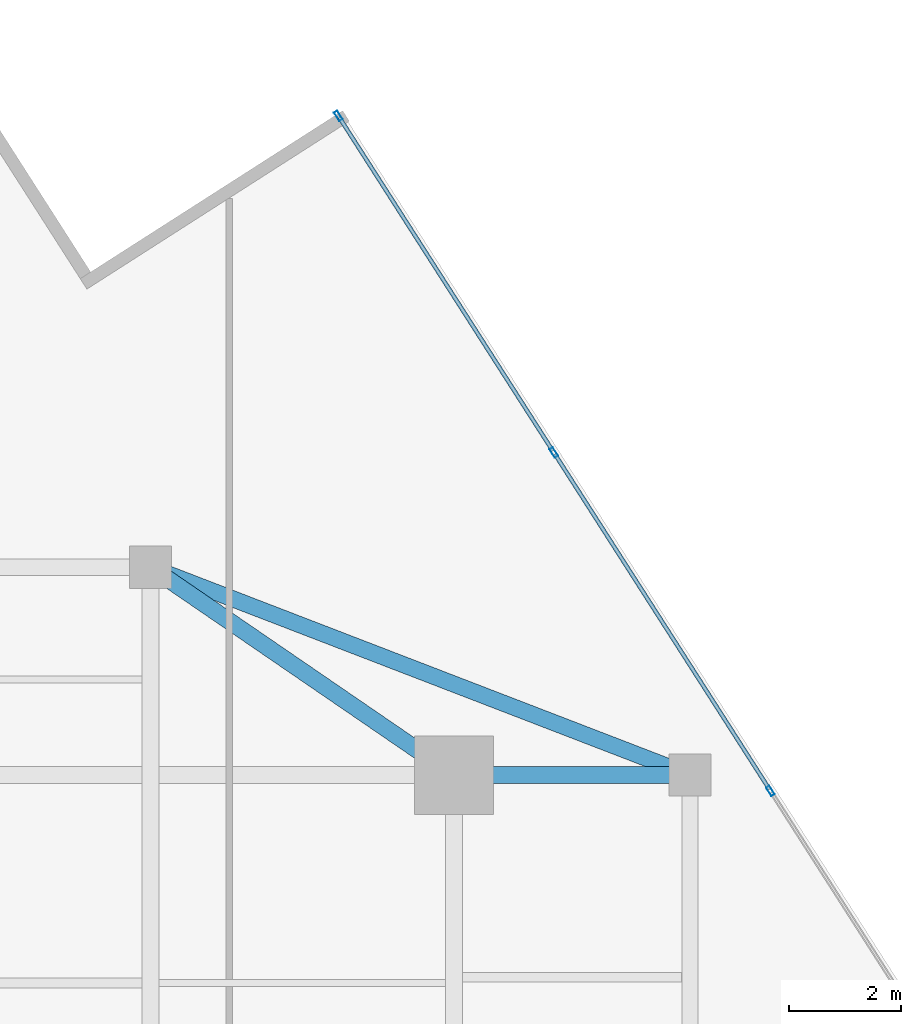
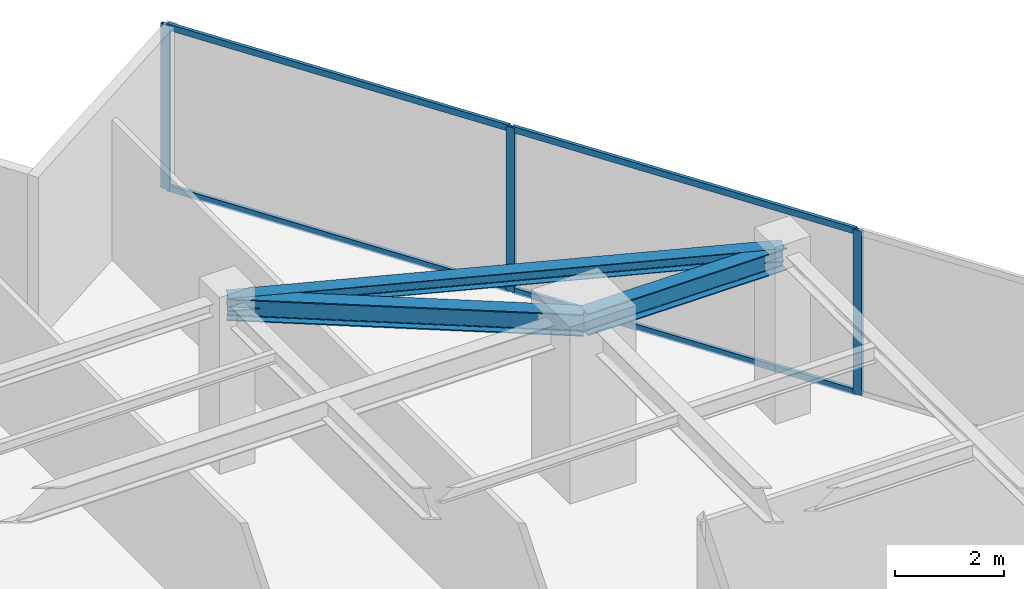
# One storey, part 15 of 20: 7 members, 3 beams, 1 element without a shape of its own.
"""IFC4 building model written with IfcOpenShell, lengths in metres."""

from ifc_helpers import new_model, si_unit, direction, frame, origin, origin_2d, place, context, subcontext, project, spatial, hollow_rectangle, i_section, extrude, source, transform, mapped, material, material_profile, profile_set, type_object, type_shapes, element, aggregate, save


model = new_model("IFC4")

# Units and contexts
model_context = context("Model", 3, precision=1e-05, world=origin(), true_north=direction((0.0, 1.0)))
body_context = subcontext(model_context, "Body", "Model", "MODEL_VIEW")
ifc_project = project(units=[si_unit("LENGTHUNIT", "METRE"), si_unit("AREAUNIT", "SQUARE_METRE"), si_unit("VOLUMEUNIT", "CUBIC_METRE"), si_unit("PLANEANGLEUNIT", "RADIAN"), si_unit("MASSUNIT", "GRAM", prefix="KILO")], contexts=[model_context])

# Site, building, storey
site_placement = place(None, origin())
site = spatial("IfcSite", under=ifc_project, at=site_placement, CompositionType="ELEMENT")
building_placement = place(site_placement, origin())
building = spatial("IfcBuilding", under=site, at=building_placement, Name="Krantzveldt Concourse Tower", CompositionType="ELEMENT")
storey_placement = place(building_placement, frame((0.0, 0.0, 291.10009765625)))
storey = spatial("IfcBuildingStorey", under=building, at=storey_placement, Name="L71", CompositionType="ELEMENT", Elevation=291.10009765625)

# Beams
ifc_material_1 = material(Name="Steel S355JR", Category="steel")
ifc_material_profile_1 = material_profile(ifc_material_1, i_section(OverallWidth=0.300048828125, OverallDepth=0.489990234375, WebThickness=0.011962890625, FlangeThickness=0.02294921875, FilletRadius=0.027099609375, at=origin_2d()), Name="Steel S355JR", Category="steel")
ifc_profile_set_1 = profile_set([ifc_material_profile_1], Name="Steel S355JR - HEA 500")
beam_type_1 = type_object("IfcBeamType", Name="BM-B-HEA500", PredefinedType="BEAM", material=ifc_profile_set_1)
shared_shape_1 = source(origin(), body_context, "Body", "SweptSolid", [
    extrude(i_section(OverallWidth=0.300048828125, OverallDepth=0.489990234375, WebThickness=0.011962890625, FlangeThickness=0.02294921875, FilletRadius=0.027099609375, at=origin_2d()), origin(), (0.0, 0.0, 1.0), 4.199951171875),
])
beam_1_placement = place(storey_placement, frame((46.800048828125, 37.5, 3.4248046875), z_axis=(1.0, 0.0, 0.0), x_axis=(0.0, 1.0, 0.0)))
element("IfcBeam", 1, at=beam_1_placement, inside=storey, type_object=beam_type_1, Name="L71 Tower Girder BR-RR3", PredefinedType="BEAM", context=body_context, shape_type="MappedRepresentation", body=[
    mapped(shared_shape_1, transform((0.0, 0.0, 0.0), x_axis=(1.0, 0.0, 0.0), y_axis=(0.0, 1.0, 0.0), z_axis=(0.0, 0.0, 1.0), scale=1.0)),
])
shared_shape_2 = source(origin(), body_context, "Body", "SweptSolid", [
    extrude(i_section(OverallWidth=0.300048828125, OverallDepth=0.489990234375, WebThickness=0.011962890625, FlangeThickness=0.02294921875, FilletRadius=0.027099609375, at=origin_2d()), origin(), (0.0, 0.0, 1.0), 6.546142578125),
])
type_shapes(beam_type_1, [shared_shape_1, shared_shape_2])
beam_2_placement = place(storey_placement, frame((46.800048828125, 37.5, 3.4248046875), z_axis=(-0.824942999484, 0.565215930068, 0.0), x_axis=(-0.565215930068, -0.824942999484, 0.0)))
element("IfcBeam", 2, at=beam_2_placement, inside=storey, type_object=beam_type_1, Name="L71 Tower Girder BR-RR4", PredefinedType="BEAM", context=body_context, shape_type="MappedRepresentation", body=[
    mapped(shared_shape_2, transform((0.0, 0.0, 0.0), x_axis=(1.0, 0.0, 0.0), y_axis=(0.0, 1.0, 0.0), z_axis=(0.0, 0.0, 1.0), scale=1.0)),
])
ifc_material_profile_2 = material_profile(ifc_material_1, i_section(OverallWidth=0.2900390625, OverallDepth=0.2900390625, WebThickness=0.008544921875, FlangeThickness=0.013916015625, FilletRadius=0.027099609375, at=origin_2d()), Name="Steel S355JR", Category="steel")
ifc_profile_set_2 = profile_set([ifc_material_profile_2], Name="Steel S355JR - HEA 300")
beam_type_2 = type_object("IfcBeamType", Name="BM-SP-HEA300", PredefinedType="SPANDREL", material=ifc_profile_set_2)
shared_shape_3 = source(origin(), body_context, "Body", "SweptSolid", [
    extrude(i_section(OverallWidth=0.2900390625, OverallDepth=0.2900390625, WebThickness=0.008544921875, FlangeThickness=0.013916015625, FilletRadius=0.027099609375, at=origin_2d()), origin(), (0.0, 0.0, 1.0), 10.288330078125),
])
type_shapes(beam_type_2, [shared_shape_3])
beam_3_placement = place(storey_placement, frame((41.39990234375, 41.199951171875, 3.52490234375), z_axis=(0.933097690408, -0.359622997257, 0.0), x_axis=(0.359622997257, 0.933097690408, 0.0)))
element("IfcBeam", 3, at=beam_3_placement, inside=storey, type_object=beam_type_2, Name="L71 Tower Girder SP-R05", PredefinedType="SPANDREL", context=body_context, shape_type="MappedRepresentation", body=[
    mapped(shared_shape_3, transform((0.0, 0.0, 0.0), x_axis=(1.0, 0.0, 0.0), y_axis=(0.0, 1.0, 0.0), z_axis=(0.0, 0.0, 1.0), scale=1.0)),
])

# Curtain wall, members
ifc_material_2 = material(Name="Anodised aluminium 6063-T6", Category="aluminium")
curtain_wall_type = type_object("IfcCurtainWallType", Name="CW4", PredefinedType="USERDEFINED", material=ifc_material_2)
curtain_wall_placement = place(storey_placement, origin())
curtain_wall = element("IfcCurtainWall", 4, at=curtain_wall_placement, inside=storey, type_object=curtain_wall_type, Name="CW-L71-F10", ObjectType="UNITISED CURTAIN WALL", PredefinedType="USERDEFINED")
ifc_material_profile_3 = material_profile(ifc_material_2, hollow_rectangle(XDim=0.070068359375, YDim=0.179931640625, WallThickness=0.0048828125, at=origin_2d()), Name="Anodised aluminium 6063-T6", Category="aluminium")
ifc_profile_set_3 = profile_set([ifc_material_profile_3], Name="Anodised aluminium 6063-T6 - ALU-MULL 180x70x5")
member_type_1 = type_object("IfcMemberType", Name="CW-MUL-180", PredefinedType="MULLION", material=ifc_profile_set_3)
shared_shape_4 = source(origin(), body_context, "Body", "SweptSolid", [
    extrude(hollow_rectangle(XDim=0.070068359375, YDim=0.179931640625, WallThickness=0.0048828125, at=origin_2d()), origin(), (0.0, 0.0, 1.0), 3.669921875),
])
type_shapes(member_type_1, [shared_shape_4])
member_1_placement = place(storey_placement, frame((52.431640625, 37.218505859375, 0.0), z_axis=(0.0, 0.0, 1.0), x_axis=(-0.842217243088, -0.53913830827, 0.0)))
member_1 = element("IfcMember", 5, at=member_1_placement, type_object=member_type_1, Name="CW-Z56 mullion 3", PredefinedType="MULLION", context=body_context, shape_type="MappedRepresentation", body=[
    mapped(shared_shape_4, transform((0.0, 0.0, 0.0), x_axis=(1.0, 0.0, 0.0), y_axis=(0.0, 1.0, 0.0), z_axis=(0.0, 0.0, 1.0), scale=1.0)),
])
member_2_placement = place(storey_placement, frame((48.576904296875, 43.240478515625, 0.0), z_axis=(0.0, 0.0, 1.0), x_axis=(-0.842217243088, -0.53913830827, 0.0)))
member_2 = element("IfcMember", 6, at=member_2_placement, type_object=member_type_1, Name="CW-Z56 mullion 4", PredefinedType="MULLION", context=body_context, shape_type="MappedRepresentation", body=[
    mapped(shared_shape_4, transform((0.0, 0.0, 0.0), x_axis=(1.0, 0.0, 0.0), y_axis=(0.0, 1.0, 0.0), z_axis=(0.0, 0.0, 1.0), scale=1.0)),
])
member_3_placement = place(storey_placement, frame((44.740966796875, 49.23291015625, 0.0), z_axis=(0.0, 0.0, 1.0), x_axis=(-0.842217243088, -0.53913830827, 0.0)))
member_3 = element("IfcMember", 7, at=member_3_placement, type_object=member_type_1, Name="CW-Z56 mullion 5", PredefinedType="MULLION", context=body_context, shape_type="MappedRepresentation", body=[
    mapped(shared_shape_4, transform((0.0, 0.0, 0.0), x_axis=(1.0, 0.0, 0.0), y_axis=(0.0, 1.0, 0.0), z_axis=(0.0, 0.0, 1.0), scale=1.0)),
])
ifc_material_profile_4 = material_profile(ifc_material_2, hollow_rectangle(XDim=0.070068359375, YDim=0.139892578125, WallThickness=0.0048828125, at=origin_2d()), Name="Anodised aluminium 6063-T6", Category="aluminium")
ifc_profile_set_4 = profile_set([ifc_material_profile_4], Name="Anodised aluminium 6063-T6 - ALU-TRAN 140x70x5")
member_type_2 = type_object("IfcMemberType", Name="CW-TRN-150", PredefinedType="USERDEFINED", material=ifc_profile_set_4)
shared_shape_5 = source(origin(), body_context, "Body", "SweptSolid", [
    extrude(hollow_rectangle(XDim=0.070068359375, YDim=0.139892578125, WallThickness=0.0048828125, at=origin_2d()), origin(), (0.0, 0.0, 1.0), 7.044921875),
])
member_4_placement = place(storey_placement, frame((48.557861328125, 43.27001953125, 0.034912109375), z_axis=(-0.539129416232, 0.842222935186, 0.0), x_axis=(-0.842222935186, -0.539129416232, 0.0)))
member_4 = element("IfcMember", 8, at=member_4_placement, type_object=member_type_2, Name="CW-Z56 transom 4.1", ObjectType="TRANSOM", PredefinedType="USERDEFINED", context=body_context, shape_type="MappedRepresentation", body=[
    mapped(shared_shape_5, transform((0.0, 0.0, 0.0), x_axis=(1.0, 0.0, 0.0), y_axis=(0.0, 1.0, 0.0), z_axis=(0.0, 0.0, 1.0), scale=1.0)),
])
member_5_placement = place(storey_placement, frame((48.557861328125, 43.27001953125, 3.635009765625), z_axis=(-0.539129416232, 0.842222935186, 0.0), x_axis=(-0.842222935186, -0.539129416232, 0.0)))
member_5 = element("IfcMember", 9, at=member_5_placement, type_object=member_type_2, Name="CW-Z56 transom 4.2", ObjectType="TRANSOM", PredefinedType="USERDEFINED", context=body_context, shape_type="MappedRepresentation", body=[
    mapped(shared_shape_5, transform((0.0, 0.0, 0.0), x_axis=(1.0, 0.0, 0.0), y_axis=(0.0, 1.0, 0.0), z_axis=(0.0, 0.0, 1.0), scale=1.0)),
])
shared_shape_6 = source(origin(), body_context, "Body", "SweptSolid", [
    extrude(hollow_rectangle(XDim=0.070068359375, YDim=0.139892578125, WallThickness=0.0048828125, at=origin_2d()), origin(), (0.0, 0.0, 1.0), 7.080078125),
])
type_shapes(member_type_2, [shared_shape_5, shared_shape_6])
member_6_placement = place(storey_placement, frame((52.412841796875, 37.248046875, 0.034912109375), z_axis=(-0.539142738786, 0.842214406915, 0.0), x_axis=(-0.842214406915, -0.539142738786, 0.0)))
member_6 = element("IfcMember", 10, at=member_6_placement, type_object=member_type_2, Name="CW-Z56 transom 3.1", ObjectType="TRANSOM", PredefinedType="USERDEFINED", context=body_context, shape_type="MappedRepresentation", body=[
    mapped(shared_shape_6, transform((0.0, 0.0, 0.0), x_axis=(1.0, 0.0, 0.0), y_axis=(0.0, 1.0, 0.0), z_axis=(0.0, 0.0, 1.0), scale=1.0)),
])
member_7_placement = place(storey_placement, frame((52.412841796875, 37.248046875, 3.635009765625), z_axis=(-0.539142738786, 0.842214406915, 0.0), x_axis=(-0.842214406915, -0.539142738786, 0.0)))
member_7 = element("IfcMember", 11, at=member_7_placement, type_object=member_type_2, Name="CW-Z56 transom 3.2", ObjectType="TRANSOM", PredefinedType="USERDEFINED", context=body_context, shape_type="MappedRepresentation", body=[
    mapped(shared_shape_6, transform((0.0, 0.0, 0.0), x_axis=(1.0, 0.0, 0.0), y_axis=(0.0, 1.0, 0.0), z_axis=(0.0, 0.0, 1.0), scale=1.0)),
])
aggregate(curtain_wall, [member_1, member_2, member_3, member_6, member_7, member_4, member_5])

save(model, "model.ifc")
